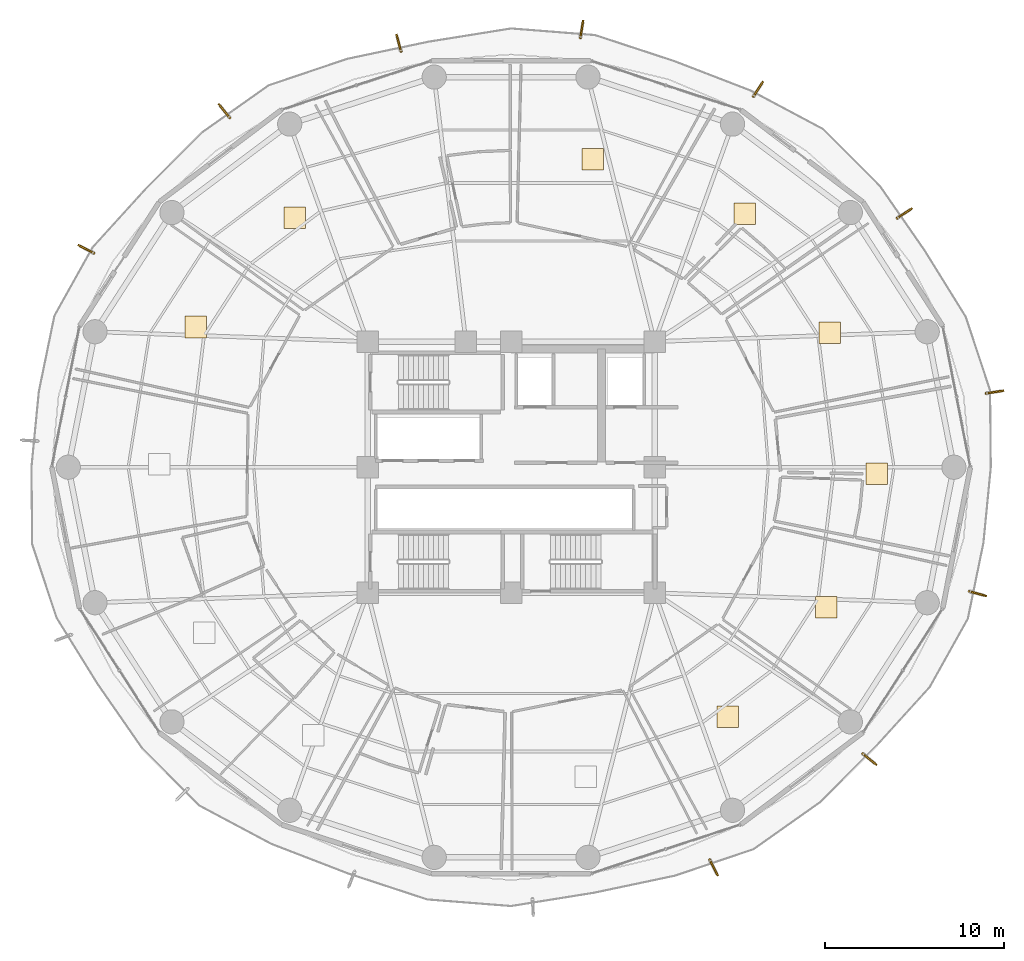
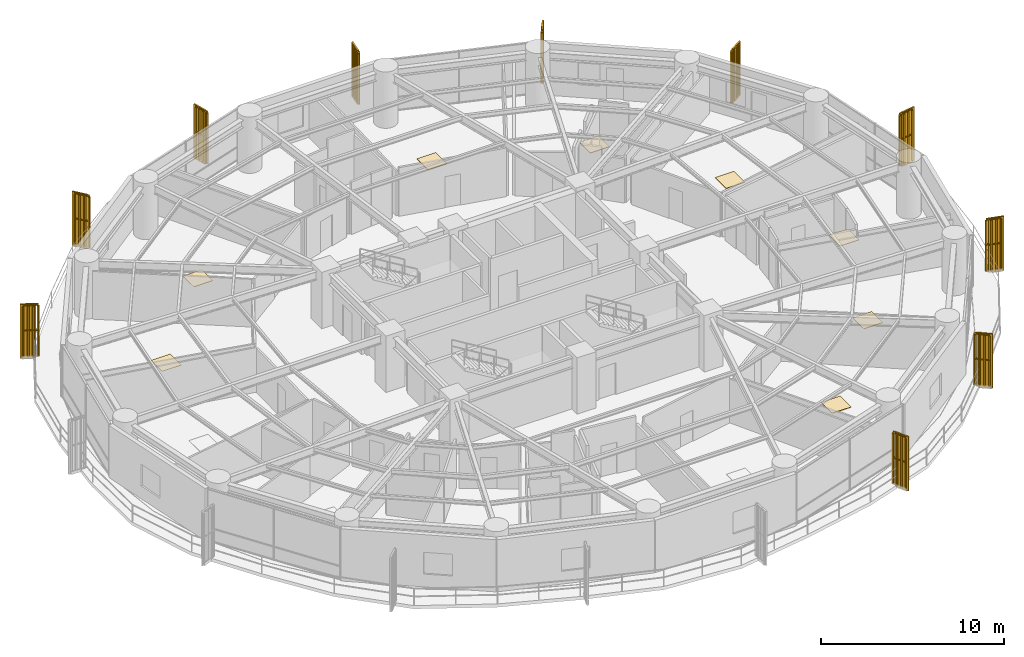
# One storey, part 35 of 35: 10 railings, 10 shading devices, 8 coverings.
"""IFC4 building model written with IfcOpenShell, lengths in metres."""

from ifc_helpers import new_model, si_unit, direction, frame, origin, origin_2d, place, context, subcontext, project, spatial, polyline, rectangle, outline, extrude, source, transform, mapped, material, layer, layer_set, type_object, element, save


model = new_model("IFC4")

# Units and contexts
model_context = context("Model", 3, precision=1e-05, world=origin(), true_north=direction((0.0, 1.0)))
body_context = subcontext(model_context, "Body", "Model", "MODEL_VIEW")
ifc_project = project(units=[si_unit("LENGTHUNIT", "METRE"), si_unit("AREAUNIT", "SQUARE_METRE"), si_unit("VOLUMEUNIT", "CUBIC_METRE"), si_unit("PLANEANGLEUNIT", "RADIAN"), si_unit("MASSUNIT", "GRAM", prefix="KILO")], contexts=[model_context])

# Site, building, storey
site_placement = place(None, origin())
site = spatial("IfcSite", under=ifc_project, at=site_placement, CompositionType="ELEMENT")
building_placement = place(site_placement, origin())
building = spatial("IfcBuilding", under=site, at=building_placement, Name="Kelanora Arch Commons", CompositionType="ELEMENT")
storey_placement = place(building_placement, frame((0.0, 0.0, 117.60009765625)))
storey = spatial("IfcBuildingStorey", under=building, at=storey_placement, Name="L30", CompositionType="ELEMENT", Elevation=117.60009765625)

# Railings
ifc_material_1 = material(Name="Anodised bronze vertical shading fin rib assembly")
railing_type = type_object("IfcRailingType", Name="RAIL-FIN-BRZ", PredefinedType="BALUSTRADE", material=ifc_material_1)
railing_1_placement = place(storey_placement, frame((95.522705078125, 71.89013671875, -0.02001953125)))
element("IfcRailing", 1, at=railing_1_placement, inside=storey, type_object=railing_type, Name="Sweeping Bronze Vertical Fin Blade L30-00", PredefinedType="BALUSTRADE", context=body_context, shape_type="SweptSolid", body=[
    extrude(outline(polyline([(0.06982421875, 0.0), (0.034912109375, 0.060546875), (-0.034912109375, 0.060546875), (-0.06982421875, 0.0), (-0.034912109375, -0.060546875), (0.034912109375, -0.060546875), (0.06982421875, 0.0)])), frame((0.0, 0.0, 3.419921875), z_axis=(0.840163867408, 0.542332624782, 0.0), x_axis=(-0.542332624782, 0.840163867408, 0.0)), (0.0, 0.0, 1.0), 0.837646484375),
    extrude(outline(polyline([(0.06982421875, 0.0), (0.034912109375, 0.060546875), (-0.034912109375, 0.060546875), (-0.06982421875, 0.0), (-0.034912109375, -0.060546875), (0.034912109375, -0.060546875), (0.06982421875, 0.0)])), frame((0.0, 0.0, 1.7451171875), z_axis=(0.840163867408, 0.542332624782, 0.0), x_axis=(-0.542332624782, 0.840163867408, 0.0)), (0.0, 0.0, 1.0), 0.837646484375),
    extrude(outline(polyline([(0.080078125, 0.0), (0.0400390625, 0.0693359375), (-0.0400390625, 0.0693359375), (-0.080078125, 0.0), (-0.0400390625, -0.0693359375), (0.0400390625, -0.0693359375), (0.080078125, 0.0)])), origin(), (0.0, 0.0, 1.0), 3.35009765625),
    extrude(outline(polyline([(0.080078125, 0.0), (0.0400390625, 0.0693359375), (-0.0400390625, 0.0693359375), (-0.080078125, 0.0), (-0.0400390625, -0.0693359375), (0.0400390625, -0.0693359375), (0.080078125, 0.0)])), frame((0.234619140625, 0.1513671875, 0.0)), (0.0, 0.0, 1.0), 3.35009765625),
    extrude(outline(polyline([(0.080078125, 0.0), (0.0400390625, 0.0693359375), (-0.0400390625, 0.0693359375), (-0.080078125, 0.0), (-0.0400390625, -0.0693359375), (0.0400390625, -0.0693359375), (0.080078125, 0.0)])), frame((0.46923828125, 0.302978515625, 0.0)), (0.0, 0.0, 1.0), 3.35009765625),
    extrude(outline(polyline([(0.080078125, 0.0), (0.0400390625, 0.0693359375), (-0.0400390625, 0.0693359375), (-0.080078125, 0.0), (-0.0400390625, -0.0693359375), (0.0400390625, -0.0693359375), (0.080078125, 0.0)])), frame((0.703857421875, 0.454345703125, 0.0)), (0.0, 0.0, 1.0), 3.35009765625),
])
railing_2_placement = place(storey_placement, frame((87.5048828125, 78.666748046875, -0.02001953125)))
element("IfcRailing", 2, at=railing_2_placement, inside=storey, type_object=railing_type, Name="Sweeping Bronze Vertical Fin Blade L30-01", PredefinedType="BALUSTRADE", context=body_context, shape_type="SweptSolid", body=[
    extrude(outline(polyline([(0.06982421875, 0.0), (0.034912109375, 0.060546875), (-0.034912109375, 0.060546875), (-0.06982421875, 0.0), (-0.034912109375, -0.060546875), (0.034912109375, -0.060546875), (0.06982421875, 0.0)])), frame((0.0, 0.0, 3.419921875), z_axis=(0.547076587594, 0.837082557043, 0.0), x_axis=(-0.837082557043, 0.547076587594, 0.0)), (0.0, 0.0, 1.0), 0.837646484375),
    extrude(outline(polyline([(0.06982421875, 0.0), (0.034912109375, 0.060546875), (-0.034912109375, 0.060546875), (-0.06982421875, 0.0), (-0.034912109375, -0.060546875), (0.034912109375, -0.060546875), (0.06982421875, 0.0)])), frame((0.0, 0.0, 1.7451171875), z_axis=(0.547076587594, 0.837082557043, 0.0), x_axis=(-0.837082557043, 0.547076587594, 0.0)), (0.0, 0.0, 1.0), 0.837646484375),
    extrude(outline(polyline([(0.080078125, 0.0), (0.0400390625, 0.0693359375), (-0.0400390625, 0.0693359375), (-0.080078125, 0.0), (-0.0400390625, -0.0693359375), (0.0400390625, -0.0693359375), (0.080078125, 0.0)])), origin(), (0.0, 0.0, 1.0), 3.35009765625),
    extrude(outline(polyline([(0.080078125, 0.0), (0.0400390625, 0.0693359375), (-0.0400390625, 0.0693359375), (-0.080078125, 0.0), (-0.0400390625, -0.0693359375), (0.0400390625, -0.0693359375), (0.080078125, 0.0)])), frame((0.15283203125, 0.233642578125, 0.0)), (0.0, 0.0, 1.0), 3.35009765625),
    extrude(outline(polyline([(0.080078125, 0.0), (0.0400390625, 0.0693359375), (-0.0400390625, 0.0693359375), (-0.080078125, 0.0), (-0.0400390625, -0.0693359375), (0.0400390625, -0.0693359375), (0.080078125, 0.0)])), frame((0.305419921875, 0.467529296875, 0.0)), (0.0, 0.0, 1.0), 3.35009765625),
    extrude(outline(polyline([(0.080078125, 0.0), (0.0400390625, 0.0693359375), (-0.0400390625, 0.0693359375), (-0.080078125, 0.0), (-0.0400390625, -0.0693359375), (0.0400390625, -0.0693359375), (0.080078125, 0.0)])), frame((0.458251953125, 0.701171875, 0.0)), (0.0, 0.0, 1.0), 3.35009765625),
])
railing_3_placement = place(storey_placement, frame((77.860595703125, 81.933349609375, -0.02001953125)))
element("IfcRailing", 3, at=railing_3_placement, inside=storey, type_object=railing_type, Name="Sweeping Bronze Vertical Fin Blade L30-02", PredefinedType="BALUSTRADE", context=body_context, shape_type="SweptSolid", body=[
    extrude(outline(polyline([(0.06982421875, 0.0), (0.034912109375, 0.060546875), (-0.034912109375, 0.060546875), (-0.06982421875, 0.0), (-0.034912109375, -0.060546875), (0.034912109375, -0.060546875), (0.06982421875, 0.0)])), frame((0.0, 0.0, 3.419921875), z_axis=(0.159104174377, 0.987261799978, 0.0), x_axis=(-0.987261799978, 0.159104174377, 0.0)), (0.0, 0.0, 1.0), 0.837890625),
    extrude(outline(polyline([(0.06982421875, 0.0), (0.034912109375, 0.060546875), (-0.034912109375, 0.060546875), (-0.06982421875, 0.0), (-0.034912109375, -0.060546875), (0.034912109375, -0.060546875), (0.06982421875, 0.0)])), frame((0.0, 0.0, 1.7451171875), z_axis=(0.159104174377, 0.987261799978, 0.0), x_axis=(-0.987261799978, 0.159104174377, 0.0)), (0.0, 0.0, 1.0), 0.837890625),
    extrude(outline(polyline([(0.080078125, 0.0), (0.0400390625, 0.0693359375), (-0.0400390625, 0.0693359375), (-0.080078125, 0.0), (-0.0400390625, -0.0693359375), (0.0400390625, -0.0693359375), (0.080078125, 0.0)])), origin(), (0.0, 0.0, 1.0), 3.35009765625),
    extrude(outline(polyline([(0.080078125, 0.0), (0.0400390625, 0.0693359375), (-0.0400390625, 0.0693359375), (-0.080078125, 0.0), (-0.0400390625, -0.0693359375), (0.0400390625, -0.0693359375), (0.080078125, 0.0)])), frame((0.04443359375, 0.275634765625, 0.0)), (0.0, 0.0, 1.0), 3.35009765625),
    extrude(outline(polyline([(0.080078125, 0.0), (0.0400390625, 0.0693359375), (-0.0400390625, 0.0693359375), (-0.080078125, 0.0), (-0.0400390625, -0.0693359375), (0.0400390625, -0.0693359375), (0.080078125, 0.0)])), frame((0.0888671875, 0.551513671875, 0.0)), (0.0, 0.0, 1.0), 3.35009765625),
    extrude(outline(polyline([(0.080078125, 0.0), (0.0400390625, 0.0693359375), (-0.0400390625, 0.0693359375), (-0.080078125, 0.0), (-0.0400390625, -0.0693359375), (0.0400390625, -0.0693359375), (0.080078125, 0.0)])), frame((0.13330078125, 0.8271484375, 0.0)), (0.0, 0.0, 1.0), 3.35009765625),
])
railing_4_placement = place(storey_placement, frame((67.862060546875, 81.170654296875, -0.02001953125)))
element("IfcRailing", 4, at=railing_4_placement, inside=storey, type_object=railing_type, Name="Sweeping Bronze Vertical Fin Blade L30-03", PredefinedType="BALUSTRADE", context=body_context, shape_type="SweptSolid", body=[
    extrude(outline(polyline([(0.06982421875, 0.0), (0.034912109375, 0.060546875), (-0.034912109375, 0.060546875), (-0.06982421875, 0.0), (-0.034912109375, -0.060546875), (0.034912109375, -0.060546875), (0.06982421875, 0.0)])), frame((0.0, 0.0, 3.419921875), z_axis=(-0.256156877005, 0.96663522301, 0.0), x_axis=(-0.96663522301, -0.256156877005, 0.0)), (0.0, 0.0, 1.0), 0.837646484375),
    extrude(outline(polyline([(0.06982421875, 0.0), (0.034912109375, 0.060546875), (-0.034912109375, 0.060546875), (-0.06982421875, 0.0), (-0.034912109375, -0.060546875), (0.034912109375, -0.060546875), (0.06982421875, 0.0)])), frame((0.0, 0.0, 1.7451171875), z_axis=(-0.256156877005, 0.96663522301, 0.0), x_axis=(-0.96663522301, -0.256156877005, 0.0)), (0.0, 0.0, 1.0), 0.837646484375),
    extrude(outline(polyline([(0.080078125, 0.0), (0.0400390625, 0.0693359375), (-0.0400390625, 0.0693359375), (-0.080078125, 0.0), (-0.0400390625, -0.0693359375), (0.0400390625, -0.0693359375), (0.080078125, 0.0)])), origin(), (0.0, 0.0, 1.0), 3.35009765625),
    extrude(outline(polyline([(0.080078125, 0.0), (0.0400390625, 0.0693359375), (-0.0400390625, 0.0693359375), (-0.080078125, 0.0), (-0.0400390625, -0.0693359375), (0.0400390625, -0.0693359375), (0.080078125, 0.0)])), frame((-0.071533203125, 0.27001953125, 0.0)), (0.0, 0.0, 1.0), 3.35009765625),
    extrude(outline(polyline([(0.080078125, 0.0), (0.0400390625, 0.0693359375), (-0.0400390625, 0.0693359375), (-0.080078125, 0.0), (-0.0400390625, -0.0693359375), (0.0400390625, -0.0693359375), (0.080078125, 0.0)])), frame((-0.14306640625, 0.539794921875, 0.0)), (0.0, 0.0, 1.0), 3.35009765625),
    extrude(outline(polyline([(0.080078125, 0.0), (0.0400390625, 0.0693359375), (-0.0400390625, 0.0693359375), (-0.080078125, 0.0), (-0.0400390625, -0.0693359375), (0.0400390625, -0.0693359375), (0.080078125, 0.0)])), frame((-0.214599609375, 0.809814453125, 0.0)), (0.0, 0.0, 1.0), 3.35009765625),
])
railing_5_placement = place(storey_placement, frame((58.315673828125, 77.481689453125, -0.02001953125)))
element("IfcRailing", 5, at=railing_5_placement, inside=storey, type_object=railing_type, Name="Sweeping Bronze Vertical Fin Blade L30-04", PredefinedType="BALUSTRADE", context=body_context, shape_type="SweptSolid", body=[
    extrude(outline(polyline([(0.06982421875, 0.0), (0.034912109375, 0.060546875), (-0.034912109375, 0.060546875), (-0.06982421875, 0.0), (-0.034912109375, -0.060546875), (0.034912109375, -0.060546875), (0.06982421875, 0.0)])), frame((0.0, 0.0, 3.419921875), z_axis=(-0.627250971865, 0.778817191833, 0.0), x_axis=(-0.778817191833, -0.627250971865, 0.0)), (0.0, 0.0, 1.0), 0.837646484375),
    extrude(outline(polyline([(0.06982421875, 0.0), (0.034912109375, 0.060546875), (-0.034912109375, 0.060546875), (-0.06982421875, 0.0), (-0.034912109375, -0.060546875), (0.034912109375, -0.060546875), (0.06982421875, 0.0)])), frame((0.0, 0.0, 1.7451171875), z_axis=(-0.627250971865, 0.778817191833, 0.0), x_axis=(-0.778817191833, -0.627250971865, 0.0)), (0.0, 0.0, 1.0), 0.837646484375),
    extrude(outline(polyline([(0.080078125, 0.0), (0.0400390625, 0.0693359375), (-0.0400390625, 0.0693359375), (-0.080078125, 0.0), (-0.0400390625, -0.0693359375), (0.0400390625, -0.0693359375), (0.080078125, 0.0)])), origin(), (0.0, 0.0, 1.0), 3.35009765625),
    extrude(outline(polyline([(0.080078125, 0.0), (0.0400390625, 0.0693359375), (-0.0400390625, 0.0693359375), (-0.080078125, 0.0), (-0.0400390625, -0.0693359375), (0.0400390625, -0.0693359375), (0.080078125, 0.0)])), frame((-0.175048828125, 0.217529296875, 0.0)), (0.0, 0.0, 1.0), 3.35009765625),
    extrude(outline(polyline([(0.080078125, 0.0), (0.0400390625, 0.0693359375), (-0.0400390625, 0.0693359375), (-0.080078125, 0.0), (-0.0400390625, -0.0693359375), (0.0400390625, -0.0693359375), (0.080078125, 0.0)])), frame((-0.350341796875, 0.434814453125, 0.0)), (0.0, 0.0, 1.0), 3.35009765625),
    extrude(outline(polyline([(0.080078125, 0.0), (0.0400390625, 0.0693359375), (-0.0400390625, 0.0693359375), (-0.080078125, 0.0), (-0.0400390625, -0.0693359375), (0.0400390625, -0.0693359375), (0.080078125, 0.0)])), frame((-0.525390625, 0.65234375, 0.0)), (0.0, 0.0, 1.0), 3.35009765625),
])
railing_6_placement = place(storey_placement, frame((50.744140625, 69.932861328125, -0.02001953125)))
element("IfcRailing", 6, at=railing_6_placement, inside=storey, type_object=railing_type, Name="Sweeping Bronze Vertical Fin Blade L30-05", PredefinedType="BALUSTRADE", context=body_context, shape_type="SweptSolid", body=[
    extrude(outline(polyline([(0.06982421875, 0.0), (0.034912109375, 0.060546875), (-0.034912109375, 0.060546875), (-0.06982421875, 0.0), (-0.034912109375, -0.060546875), (0.034912109375, -0.060546875), (0.06982421875, 0.0)])), frame((0.0, 0.0, 3.419921875), z_axis=(-0.889774979002, 0.456399481532, 0.0), x_axis=(-0.456399481532, -0.889774979002, 0.0)), (0.0, 0.0, 1.0), 0.837646484375),
    extrude(outline(polyline([(0.06982421875, 0.0), (0.034912109375, 0.060546875), (-0.034912109375, 0.060546875), (-0.06982421875, 0.0), (-0.034912109375, -0.060546875), (0.034912109375, -0.060546875), (0.06982421875, 0.0)])), frame((0.0, 0.0, 1.7451171875), z_axis=(-0.889774979002, 0.456399481532, 0.0), x_axis=(-0.456399481532, -0.889774979002, 0.0)), (0.0, 0.0, 1.0), 0.837646484375),
    extrude(outline(polyline([(0.080078125, 0.0), (0.0400390625, 0.0693359375), (-0.0400390625, 0.0693359375), (-0.080078125, 0.0), (-0.0400390625, -0.0693359375), (0.0400390625, -0.0693359375), (0.080078125, 0.0)])), origin(), (0.0, 0.0, 1.0), 3.35009765625),
    extrude(outline(polyline([(0.080078125, 0.0), (0.0400390625, 0.0693359375), (-0.0400390625, 0.0693359375), (-0.080078125, 0.0), (-0.0400390625, -0.0693359375), (0.0400390625, -0.0693359375), (0.080078125, 0.0)])), frame((-0.24853515625, 0.12744140625, 0.0)), (0.0, 0.0, 1.0), 3.35009765625),
    extrude(outline(polyline([(0.080078125, 0.0), (0.0400390625, 0.0693359375), (-0.0400390625, 0.0693359375), (-0.080078125, 0.0), (-0.0400390625, -0.0693359375), (0.0400390625, -0.0693359375), (0.080078125, 0.0)])), frame((-0.496826171875, 0.2548828125, 0.0)), (0.0, 0.0, 1.0), 3.35009765625),
    extrude(outline(polyline([(0.080078125, 0.0), (0.0400390625, 0.0693359375), (-0.0400390625, 0.0693359375), (-0.080078125, 0.0), (-0.0400390625, -0.0693359375), (0.0400390625, -0.0693359375), (0.080078125, 0.0)])), frame((-0.745361328125, 0.38232421875, 0.0)), (0.0, 0.0, 1.0), 3.35009765625),
])
railing_7_placement = place(storey_placement, frame((85.070556640625, 36.119384765625, -0.02001953125)))
element("IfcRailing", 7, at=railing_7_placement, inside=storey, type_object=railing_type, Name="Sweeping Bronze Vertical Fin Blade L30-11", PredefinedType="BALUSTRADE", context=body_context, shape_type="SweptSolid", body=[
    extrude(outline(polyline([(0.06982421875, 0.0), (0.034912109375, 0.060546875), (-0.034912109375, 0.060546875), (-0.06982421875, 0.0), (-0.034912109375, -0.060546875), (0.034912109375, -0.060546875), (0.06982421875, 0.0)])), frame((0.0, 0.0, 3.419921875), z_axis=(0.451172997714, -0.892436510982, 0.0), x_axis=(0.892436510982, 0.451172997714, 0.0)), (0.0, 0.0, 1.0), 0.837646484375),
    extrude(outline(polyline([(0.06982421875, 0.0), (0.034912109375, 0.060546875), (-0.034912109375, 0.060546875), (-0.06982421875, 0.0), (-0.034912109375, -0.060546875), (0.034912109375, -0.060546875), (0.06982421875, 0.0)])), frame((0.0, 0.0, 1.7451171875), z_axis=(0.451172997714, -0.892436510982, 0.0), x_axis=(0.892436510982, 0.451172997714, 0.0)), (0.0, 0.0, 1.0), 0.837646484375),
    extrude(outline(polyline([(0.080078125, 0.0), (0.0400390625, 0.0693359375), (-0.0400390625, 0.0693359375), (-0.080078125, 0.0), (-0.0400390625, -0.0693359375), (0.0400390625, -0.0693359375), (0.080078125, 0.0)])), origin(), (0.0, 0.0, 1.0), 3.35009765625),
    extrude(outline(polyline([(0.080078125, 0.0), (0.0400390625, 0.0693359375), (-0.0400390625, 0.0693359375), (-0.080078125, 0.0), (-0.0400390625, -0.0693359375), (0.0400390625, -0.0693359375), (0.080078125, 0.0)])), frame((0.1259765625, -0.249267578125, 0.0)), (0.0, 0.0, 1.0), 3.35009765625),
    extrude(outline(polyline([(0.080078125, 0.0), (0.0400390625, 0.0693359375), (-0.0400390625, 0.0693359375), (-0.080078125, 0.0), (-0.0400390625, -0.0693359375), (0.0400390625, -0.0693359375), (0.080078125, 0.0)])), frame((0.251953125, -0.498291015625, 0.0)), (0.0, 0.0, 1.0), 3.35009765625),
    extrude(outline(polyline([(0.080078125, 0.0), (0.0400390625, 0.0693359375), (-0.0400390625, 0.0693359375), (-0.080078125, 0.0), (-0.0400390625, -0.0693359375), (0.0400390625, -0.0693359375), (0.080078125, 0.0)])), frame((0.3779296875, -0.74755859375, 0.0)), (0.0, 0.0, 1.0), 3.35009765625),
])
railing_8_placement = place(storey_placement, frame((93.60400390625, 42.032470703125, -0.02001953125)))
element("IfcRailing", 8, at=railing_8_placement, inside=storey, type_object=railing_type, Name="Sweeping Bronze Vertical Fin Blade L30-12", PredefinedType="BALUSTRADE", context=body_context, shape_type="SweptSolid", body=[
    extrude(outline(polyline([(0.06982421875, 0.0), (0.034912109375, 0.060546875), (-0.034912109375, 0.060546875), (-0.06982421875, 0.0), (-0.034912109375, -0.060546875), (0.034912109375, -0.060546875), (0.06982421875, 0.0)])), frame((0.0, 0.0, 3.419921875), z_axis=(0.775293130779, -0.63160158436, 0.0), x_axis=(0.63160158436, 0.775293130779, 0.0)), (0.0, 0.0, 1.0), 0.837646484375),
    extrude(outline(polyline([(0.06982421875, 0.0), (0.034912109375, 0.060546875), (-0.034912109375, 0.060546875), (-0.06982421875, 0.0), (-0.034912109375, -0.060546875), (0.034912109375, -0.060546875), (0.06982421875, 0.0)])), frame((0.0, 0.0, 1.7451171875), z_axis=(0.775293130779, -0.63160158436, 0.0), x_axis=(0.63160158436, 0.775293130779, 0.0)), (0.0, 0.0, 1.0), 0.837646484375),
    extrude(outline(polyline([(0.080078125, 0.0), (0.0400390625, 0.0693359375), (-0.0400390625, 0.0693359375), (-0.080078125, 0.0), (-0.0400390625, -0.0693359375), (0.0400390625, -0.0693359375), (0.080078125, 0.0)])), origin(), (0.0, 0.0, 1.0), 3.35009765625),
    extrude(outline(polyline([(0.080078125, 0.0), (0.0400390625, 0.0693359375), (-0.0400390625, 0.0693359375), (-0.080078125, 0.0), (-0.0400390625, -0.0693359375), (0.0400390625, -0.0693359375), (0.080078125, 0.0)])), frame((0.216552734375, -0.17626953125, 0.0)), (0.0, 0.0, 1.0), 3.35009765625),
    extrude(outline(polyline([(0.080078125, 0.0), (0.0400390625, 0.0693359375), (-0.0400390625, 0.0693359375), (-0.080078125, 0.0), (-0.0400390625, -0.0693359375), (0.0400390625, -0.0693359375), (0.080078125, 0.0)])), frame((0.432861328125, -0.352783203125, 0.0)), (0.0, 0.0, 1.0), 3.35009765625),
    extrude(outline(polyline([(0.080078125, 0.0), (0.0400390625, 0.0693359375), (-0.0400390625, 0.0693359375), (-0.080078125, 0.0), (-0.0400390625, -0.0693359375), (0.0400390625, -0.0693359375), (0.080078125, 0.0)])), frame((0.6494140625, -0.529052734375, 0.0)), (0.0, 0.0, 1.0), 3.35009765625),
])
railing_9_placement = place(storey_placement, frame((99.5439453125, 51.07763671875, -0.02001953125)))
element("IfcRailing", 9, at=railing_9_placement, inside=storey, type_object=railing_type, Name="Sweeping Bronze Vertical Fin Blade L30-13", PredefinedType="BALUSTRADE", context=body_context, shape_type="SweptSolid", body=[
    extrude(outline(polyline([(0.06982421875, 0.0), (0.034912109375, 0.060546875), (-0.034912109375, 0.060546875), (-0.06982421875, 0.0), (-0.034912109375, -0.060546875), (0.034912109375, -0.060546875), (0.06982421875, 0.0)])), frame((0.0, 0.0, 3.419921875), z_axis=(0.965152803457, -0.261686961807, 0.0), x_axis=(0.261686961807, 0.965152803457, 0.0)), (0.0, 0.0, 1.0), 0.837890625),
    extrude(outline(polyline([(0.06982421875, 0.0), (0.034912109375, 0.060546875), (-0.034912109375, 0.060546875), (-0.06982421875, 0.0), (-0.034912109375, -0.060546875), (0.034912109375, -0.060546875), (0.06982421875, 0.0)])), frame((0.0, 0.0, 1.7451171875), z_axis=(0.965152803457, -0.261686961807, 0.0), x_axis=(0.261686961807, 0.965152803457, 0.0)), (0.0, 0.0, 1.0), 0.837890625),
    extrude(outline(polyline([(0.080078125, 0.0), (0.0400390625, 0.0693359375), (-0.0400390625, 0.0693359375), (-0.080078125, 0.0), (-0.0400390625, -0.0693359375), (0.0400390625, -0.0693359375), (0.080078125, 0.0)])), origin(), (0.0, 0.0, 1.0), 3.35009765625),
    extrude(outline(polyline([(0.080078125, 0.0), (0.0400390625, 0.0693359375), (-0.0400390625, 0.0693359375), (-0.080078125, 0.0), (-0.0400390625, -0.0693359375), (0.0400390625, -0.0693359375), (0.080078125, 0.0)])), frame((0.26953125, -0.072998046875, 0.0)), (0.0, 0.0, 1.0), 3.35009765625),
    extrude(outline(polyline([(0.080078125, 0.0), (0.0400390625, 0.0693359375), (-0.0400390625, 0.0693359375), (-0.080078125, 0.0), (-0.0400390625, -0.0693359375), (0.0400390625, -0.0693359375), (0.080078125, 0.0)])), frame((0.5390625, -0.146240234375, 0.0)), (0.0, 0.0, 1.0), 3.35009765625),
    extrude(outline(polyline([(0.080078125, 0.0), (0.0400390625, 0.0693359375), (-0.0400390625, 0.0693359375), (-0.080078125, 0.0), (-0.0400390625, -0.0693359375), (0.0400390625, -0.0693359375), (0.080078125, 0.0)])), frame((0.80859375, -0.21923828125, 0.0)), (0.0, 0.0, 1.0), 3.35009765625),
])
railing_10_placement = place(storey_placement, frame((100.47900390625, 62.11669921875, -0.02001953125)))
element("IfcRailing", 10, at=railing_10_placement, inside=storey, type_object=railing_type, Name="Sweeping Bronze Vertical Fin Blade L30-14", PredefinedType="BALUSTRADE", context=body_context, shape_type="SweptSolid", body=[
    extrude(outline(polyline([(0.06982421875, 0.0), (0.034912109375, 0.060546875), (-0.034912109375, 0.060546875), (-0.06982421875, 0.0), (-0.034912109375, -0.060546875), (0.034912109375, -0.060546875), (0.06982421875, 0.0)])), frame((0.0, 0.0, 3.419921875), z_axis=(0.988131221312, 0.153612139714, 0.0), x_axis=(-0.153612139714, 0.988131221312, 0.0)), (0.0, 0.0, 1.0), 0.837646484375),
    extrude(outline(polyline([(0.06982421875, 0.0), (0.034912109375, 0.060546875), (-0.034912109375, 0.060546875), (-0.06982421875, 0.0), (-0.034912109375, -0.060546875), (0.034912109375, -0.060546875), (0.06982421875, 0.0)])), frame((0.0, 0.0, 1.7451171875), z_axis=(0.988131221312, 0.153612139714, 0.0), x_axis=(-0.153612139714, 0.988131221312, 0.0)), (0.0, 0.0, 1.0), 0.837646484375),
    extrude(outline(polyline([(0.080078125, 0.0), (0.0400390625, 0.0693359375), (-0.0400390625, 0.0693359375), (-0.080078125, 0.0), (-0.0400390625, -0.0693359375), (0.0400390625, -0.0693359375), (0.080078125, 0.0)])), origin(), (0.0, 0.0, 1.0), 3.35009765625),
    extrude(outline(polyline([(0.080078125, 0.0), (0.0400390625, 0.0693359375), (-0.0400390625, 0.0693359375), (-0.080078125, 0.0), (-0.0400390625, -0.0693359375), (0.0400390625, -0.0693359375), (0.080078125, 0.0)])), frame((0.27587890625, 0.04296875, 0.0)), (0.0, 0.0, 1.0), 3.35009765625),
    extrude(outline(polyline([(0.080078125, 0.0), (0.0400390625, 0.0693359375), (-0.0400390625, 0.0693359375), (-0.080078125, 0.0), (-0.0400390625, -0.0693359375), (0.0400390625, -0.0693359375), (0.080078125, 0.0)])), frame((0.5517578125, 0.085693359375, 0.0)), (0.0, 0.0, 1.0), 3.35009765625),
    extrude(outline(polyline([(0.080078125, 0.0), (0.0400390625, 0.0693359375), (-0.0400390625, 0.0693359375), (-0.080078125, 0.0), (-0.0400390625, -0.0693359375), (0.0400390625, -0.0693359375), (0.080078125, 0.0)])), frame((0.82763671875, 0.128662109375, 0.0)), (0.0, 0.0, 1.0), 3.35009765625),
])

# Shading devices
ifc_material_2 = material(Name="Terracotta ceramic-clad extruded aluminium fin", Category="masonry")
shading_device_type = type_object("IfcShadingDeviceType", Name="SHD-FIN-FLARE", PredefinedType="USERDEFINED", material=ifc_material_2)
shared_shape_1 = source(origin(), body_context, "Body", "SweptSolid", [
    extrude(rectangle(XDim=0.8798828125, YDim=0.090087890625, at=origin_2d()), origin(), (0.0, 0.0, 1.0), 3.610107421875),
])
for number, where, z_axis, x_axis, name in (
    (11, (95.9921875, 72.193115234375, -0.14013671875), (0.0, 0.0, 1.0), (0.840188215011, 0.542294904417, 0.0), "Sweeping Terracotta Fin L30-00"),
    (12, (87.810546875, 79.134521484375, -0.14013671875), (0.0, 0.0, 1.0), (0.546978918409, 0.837146380758, 0.0), "Sweeping Terracotta Fin L30-01"),
    (13, (77.949462890625, 82.485107421875, -0.14013671875), (0.0, 0.0, 1.0), (0.159191997666, 0.98724764263, 0.0), "Sweeping Terracotta Fin L30-02"),
    (14, (67.718994140625, 81.7109375, -0.14013671875), (0.0, 0.0, 1.0), (-0.256120665687, 0.966644818229, 0.0), "Sweeping Terracotta Fin L30-03"),
    (15, (57.965087890625, 77.9169921875, -0.14013671875), (0.0, 0.0, 1.0), (-0.62714773916, 0.778900323063, 0.0), "Sweeping Terracotta Fin L30-04"),
    (16, (50.246826171875, 70.18798828125, -0.14013671875), (0.0, 0.0, 1.0), (-0.889735271073, 0.456476885952, 0.0), "Sweeping Terracotta Fin L30-05"),
    (17, (85.32275390625, 35.62060546875, -0.14013671875), (0.0, 0.0, 1.0), (0.451500573218, -0.892270829056, 0.0), "Sweeping Terracotta Fin L30-11"),
    (18, (94.037353515625, 41.679443359375, -0.14013671875), (0.0, 0.0, 1.0), (0.775385539511, -0.631488135373, 0.0), "Sweeping Terracotta Fin L30-12"),
    (19, (100.08349609375, 50.931396484375, -0.14013671875), (0.0, 0.0, 1.0), (0.965199301866, -0.261515406195, 0.0), "Sweeping Terracotta Fin L30-13"),
    (20, (101.03125, 62.202392578125, -0.14013671875), (0.0, 0.0, 1.0), (0.988121336368, 0.153675712507, 0.0), "Sweeping Terracotta Fin L30-14"),
):
    element("IfcShadingDevice", number, at=place(storey_placement, frame(where, z_axis=z_axis, x_axis=x_axis)), inside=storey, type_object=shading_device_type, Name=name, ObjectType="FIN", PredefinedType="USERDEFINED", context=body_context, shape_type="MappedRepresentation", body=[
        mapped(shared_shape_1, transform((0.0, 0.0, 0.0), scale=1.0)),
    ])

# Coverings
ifc_material_3 = material(Name="Polished local granite terrazzo flooring", Category="masonry")
ifc_layer = layer(ifc_material_3, 0.030029296875)
ifc_layer_set = layer_set([ifc_layer], Name="Polished local granite terrazzo flooring")
covering_type = type_object("IfcCoveringType", Name="COV-FLR-TER", PredefinedType="FLOORING", material=ifc_layer_set)
shared_shape_2 = source(origin(), body_context, "Body", "SweptSolid", [
    extrude(rectangle(XDim=1.199951171875, YDim=1.199951171875, at=origin_2d()), origin(), (0.0, 0.0, 1.0), 0.030029296875),
])
for number, where, z_axis, x_axis, name in (
    (21, (87.017333984375, 72.11767578125, 0.0), (0.0, 0.0, 1.0), (1.0, 0.0, 0.0), "Co-Living Studio L30-01 Terrazzo Finish"),
    (22, (78.552734375, 75.16748046875, 0.0), (0.0, 0.0, 1.0), (1.0, 0.0, 0.0), "Communal Dining and Social Hall L30-02 Terrazzo Finish"),
    (23, (61.9296875, 71.90869140625, 0.0), (0.0, 0.0, 1.0), (1.0, 0.0, 0.0), "Social Sky Lounge L30-04 Terrazzo Finish"),
    (24, (56.422119140625, 65.816162109375, 0.0), (0.0, 0.0, 1.0), (1.0, 0.0, 0.0), "Quiet Seminar Study Room L30-05 Terrazzo Finish"),
    (25, (86.0703125, 44.09130859375, 0.0), (0.0, 0.0, 1.0), (1.0, 0.0, 0.0), "Quiet Seminar Study Room L30-11 Terrazzo Finish"),
    (26, (91.577880859375, 50.183837890625, 0.0), (0.0, 0.0, 1.0), (1.0, 0.0, 0.0), "Quiet Seminar Study Room L30-12 Terrazzo Finish"),
    (27, (94.383056640625, 57.64697265625, 0.0), (0.0, 0.0, 1.0), (1.0, 0.0, 0.0), "Co-Living Studio L30-13 Terrazzo Finish"),
    (28, (91.747802734375, 65.499267578125, 0.0), (0.0, 0.0, 1.0), (1.0, 0.0, 0.0), "Communal Dining and Social Hall L30-14 Terrazzo Finish"),
):
    element("IfcCovering", number, at=place(storey_placement, frame(where, z_axis=z_axis, x_axis=x_axis)), inside=storey, type_object=covering_type, Name=name, PredefinedType="FLOORING", context=body_context, shape_type="MappedRepresentation", body=[
        mapped(shared_shape_2, transform((0.0, 0.0, 0.0), scale=1.0)),
    ])

save(model, "model.ifc")
